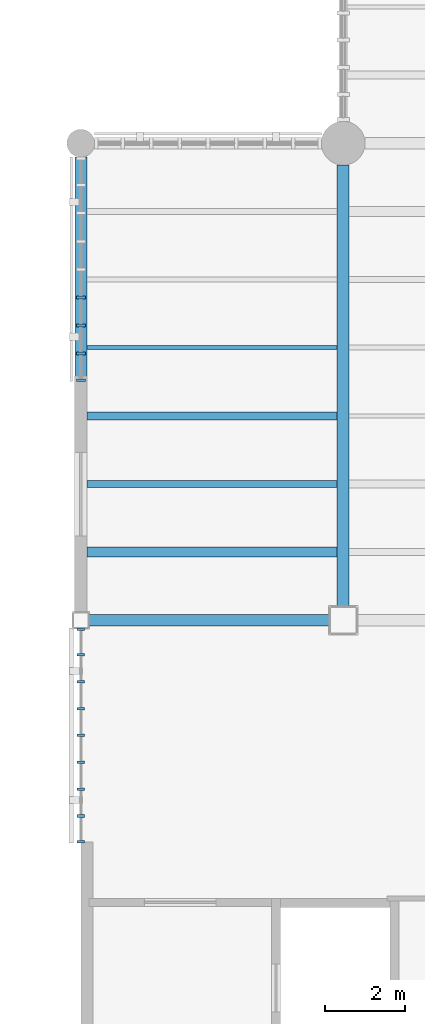
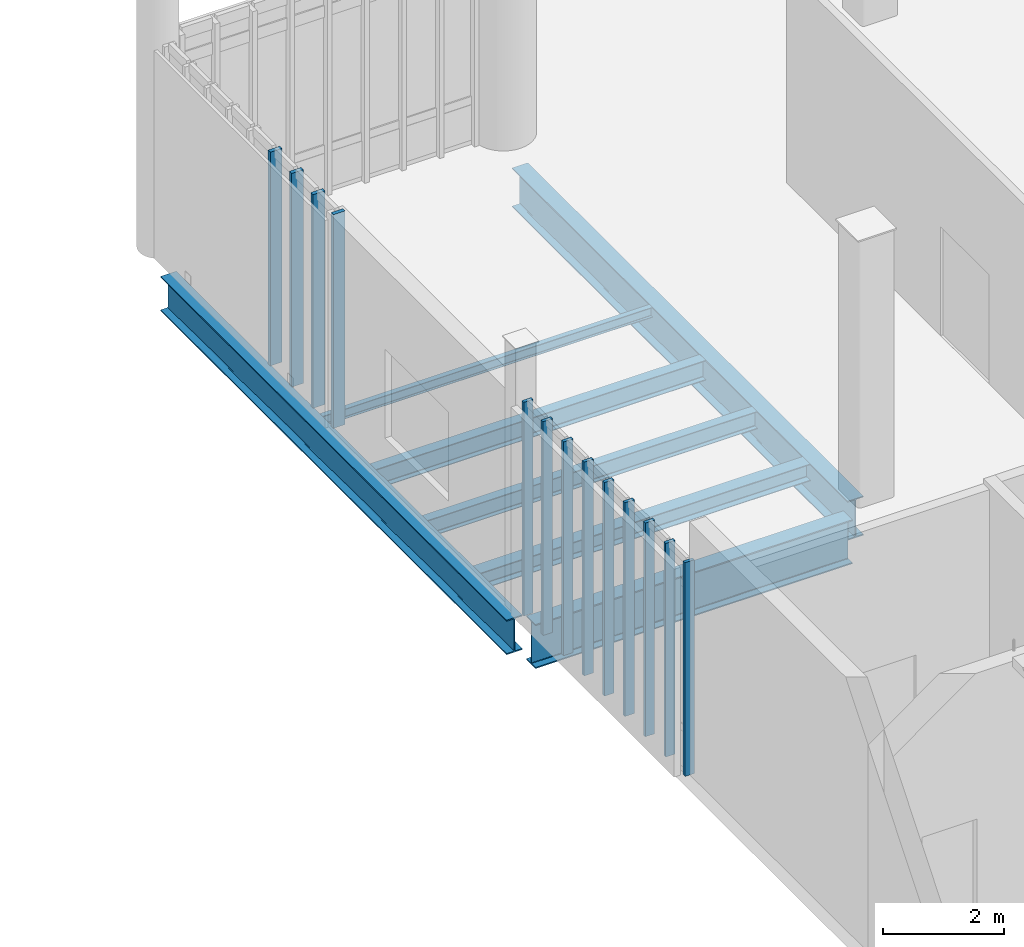
# One storey, part 17 of 135: 13 members, 7 beams, 2 elements without a shape of their own.
"""IFC4 building model written with IfcOpenShell, lengths in metres."""

from ifc_helpers import new_model, si_unit, direction, frame, origin, origin_2d, place, context, subcontext, project, spatial, rectangle, i_section, extrude, material, material_profile, profile_set, type_object, element, aggregate, save


model = new_model("IFC4")

# Units and contexts
model_context = context("Model", 3, precision=1e-05, world=origin(), true_north=direction((0.0, 1.0)))
body_context = subcontext(model_context, "Body", "Model", "MODEL_VIEW")
ifc_project = project(units=[si_unit("LENGTHUNIT", "METRE"), si_unit("AREAUNIT", "SQUARE_METRE"), si_unit("VOLUMEUNIT", "CUBIC_METRE"), si_unit("PLANEANGLEUNIT", "RADIAN"), si_unit("MASSUNIT", "GRAM", prefix="KILO")], contexts=[model_context])

# Site, building, storey
site_placement = place(None, origin())
site = spatial("IfcSite", under=ifc_project, at=site_placement, CompositionType="ELEMENT")
building_placement = place(site_placement, origin())
building = spatial("IfcBuilding", under=site, at=building_placement, Name="Larkvane Passage Sports Hall", CompositionType="ELEMENT")
storey_placement = place(building_placement, frame((0.0, 0.0, 16.800048828125)))
storey = spatial("IfcBuildingStorey", under=building, at=storey_placement, Name="L03", CompositionType="ELEMENT", Elevation=16.800048828125)

# Beams
ifc_material_1 = material(Name="Steel S460N", Category="steel")
ifc_material_profile_1 = material_profile(ifc_material_1, i_section(OverallWidth=0.300048828125, OverallDepth=0.699951171875, WebThickness=0.012939453125, FlangeThickness=0.02392578125, FilletRadius=0.02197265625, at=origin_2d()), Name="H-700x300x13x24")
ifc_profile_set_1 = profile_set([ifc_material_profile_1], Name="Steel S460N")
beam_type_1 = type_object("IfcBeamType", Name="BM-STL-H700", PredefinedType="BEAM", material=ifc_profile_set_1)
beam_1_placement = place(storey_placement, frame((118.0, 39.800048828125, -0.68994140625), z_axis=(0.0, 1.0, 0.0), x_axis=(-1.0, 0.0, 0.0)))
element("IfcBeam", 1, at=beam_1_placement, inside=storey, type_object=beam_type_1, Name="Girder BM5-Y-L03-16-1039", PredefinedType="BEAM", context=body_context, shape_type="SweptSolid", body=[
    extrude(i_section(OverallWidth=0.300048828125, OverallDepth=0.699951171875, WebThickness=0.012939453125, FlangeThickness=0.02392578125, FilletRadius=0.02197265625, at=origin_2d()), origin(), (0.0, 0.0, 1.0), 11.449951171875),
])
ifc_material_profile_2 = material_profile(ifc_material_1, i_section(OverallWidth=0.300048828125, OverallDepth=0.7919921875, WebThickness=0.013916015625, FlangeThickness=0.02197265625, FilletRadius=0.02197265625, at=origin_2d()), Name="H-792x300x14x22")
ifc_profile_set_2 = profile_set([ifc_material_profile_2], Name="Steel S460N")
beam_type_2 = type_object("IfcBeamType", Name="BM-STL-H792", PredefinedType="BEAM", material=ifc_profile_set_2)
beam_2_placement = place(storey_placement, frame((124.60009765625, 39.949951171875, -0.736083984375), z_axis=(0.0, 1.0, 0.0), x_axis=(-1.0, 0.0, 0.0)))
element("IfcBeam", 2, at=beam_2_placement, inside=storey, type_object=beam_type_2, Name="Girder BM5-Y-L03-17-1040", PredefinedType="BEAM", context=body_context, shape_type="SweptSolid", body=[
    extrude(i_section(OverallWidth=0.300048828125, OverallDepth=0.7919921875, WebThickness=0.013916015625, FlangeThickness=0.02197265625, FilletRadius=0.02197265625, at=origin_2d()), origin(), (0.0, 0.0, 1.0), 11.10009765625),
])
ifc_material_profile_3 = material_profile(ifc_material_1, i_section(OverallWidth=0.299072265625, OverallDepth=0.889892578125, WebThickness=0.014892578125, FlangeThickness=0.02294921875, FilletRadius=0.02197265625, at=origin_2d()), Name="H-890x299x15x23")
ifc_profile_set_3 = profile_set([ifc_material_profile_3], Name="Steel S460N")
beam_type_3 = type_object("IfcBeamType", Name="BM-STL-H890", PredefinedType="BEAM", material=ifc_profile_set_3)
beam_3_placement = place(storey_placement, frame((118.199951171875, 39.60009765625, -0.78515625), z_axis=(1.0, 0.0, 0.0), x_axis=(0.0, 1.0, 0.0)))
element("IfcBeam", 3, at=beam_3_placement, inside=storey, type_object=beam_type_3, Name="Girder BM5-X-L03-F-0987", PredefinedType="BEAM", context=body_context, shape_type="SweptSolid", body=[
    extrude(i_section(OverallWidth=0.299072265625, OverallDepth=0.889892578125, WebThickness=0.014892578125, FlangeThickness=0.02294921875, FilletRadius=0.02197265625, at=origin_2d()), origin(), (0.0, 0.0, 1.0), 6.050048828125),
])

# Curtain wall, members
ifc_material_2 = material(Name="Thermally broken aluminium and low-E glazing", Category="aluminium")
curtain_wall_type_1 = type_object("IfcCurtainWallType", Name="CW-UNIT-COURT", PredefinedType="USERDEFINED", material=ifc_material_2)
curtain_wall_1_placement = place(storey_placement, origin())
curtain_wall_1 = element("IfcCurtainWall", 4, at=curtain_wall_1_placement, inside=storey, type_object=curtain_wall_type_1, Name="Curtain wall CW5-L03-120", ObjectType="UNITISED CURTAIN WALL", PredefinedType="USERDEFINED")
ifc_material_3 = material(Name="Anodised aluminium 6063-T6", Category="aluminium")
ifc_material_profile_4 = material_profile(ifc_material_3, rectangle(XDim=0.06494140625, YDim=0.179931640625, at=origin_2d()), Name="ALU-MUL-65x180")
ifc_profile_set_4 = profile_set([ifc_material_profile_4], Name="Anodised aluminium 6063-T6")
member_type_1 = type_object("IfcMemberType", Name="CW-MUL-65x180", PredefinedType="MULLION", material=ifc_profile_set_4)
member_1_placement = place(storey_placement, frame((118.0, 34.032470703125, 0.0), z_axis=(0.0, 0.0, 1.0), x_axis=(0.0, 1.0, 0.0)))
member_1 = element("IfcMember", 5, at=member_1_placement, type_object=member_type_1, Name="CW-01 mullion 1", PredefinedType="MULLION", context=body_context, shape_type="SweptSolid", body=[
    extrude(rectangle(XDim=0.06494140625, YDim=0.179931640625, at=origin_2d()), origin(), (0.0, 0.0, 1.0), 4.31591796875),
])
member_2_placement = place(storey_placement, frame((118.0, 34.675537109375, 0.0), z_axis=(0.0, 0.0, 1.0), x_axis=(0.0, 1.0, 0.0)))
member_2 = element("IfcMember", 6, at=member_2_placement, type_object=member_type_1, Name="CW-01 mullion 2", PredefinedType="MULLION", context=body_context, shape_type="SweptSolid", body=[
    extrude(rectangle(XDim=0.06494140625, YDim=0.179931640625, at=origin_2d()), origin(), (0.0, 0.0, 1.0), 4.31591796875),
])
member_3_placement = place(storey_placement, frame((118.0, 35.35107421875, 0.0), z_axis=(0.0, 0.0, 1.0), x_axis=(0.0, 1.0, 0.0)))
member_3 = element("IfcMember", 7, at=member_3_placement, type_object=member_type_1, Name="CW-01 mullion 3", PredefinedType="MULLION", context=body_context, shape_type="SweptSolid", body=[
    extrude(rectangle(XDim=0.06494140625, YDim=0.179931640625, at=origin_2d()), origin(), (0.0, 0.0, 1.0), 4.31591796875),
])
member_4_placement = place(storey_placement, frame((118.0, 36.026611328125, 0.0), z_axis=(0.0, 0.0, 1.0), x_axis=(0.0, 1.0, 0.0)))
member_4 = element("IfcMember", 8, at=member_4_placement, type_object=member_type_1, Name="CW-01 mullion 4", PredefinedType="MULLION", context=body_context, shape_type="SweptSolid", body=[
    extrude(rectangle(XDim=0.06494140625, YDim=0.179931640625, at=origin_2d()), origin(), (0.0, 0.0, 1.0), 4.31591796875),
])
member_5_placement = place(storey_placement, frame((118.0, 36.701904296875, 0.0), z_axis=(0.0, 0.0, 1.0), x_axis=(0.0, 1.0, 0.0)))
member_5 = element("IfcMember", 9, at=member_5_placement, type_object=member_type_1, Name="CW-01 mullion 5", PredefinedType="MULLION", context=body_context, shape_type="SweptSolid", body=[
    extrude(rectangle(XDim=0.06494140625, YDim=0.179931640625, at=origin_2d()), origin(), (0.0, 0.0, 1.0), 4.31591796875),
])
member_6_placement = place(storey_placement, frame((118.0, 37.37744140625, 0.0), z_axis=(0.0, 0.0, 1.0), x_axis=(0.0, 1.0, 0.0)))
member_6 = element("IfcMember", 10, at=member_6_placement, type_object=member_type_1, Name="CW-01 mullion 6", PredefinedType="MULLION", context=body_context, shape_type="SweptSolid", body=[
    extrude(rectangle(XDim=0.06494140625, YDim=0.179931640625, at=origin_2d()), origin(), (0.0, 0.0, 1.0), 4.31591796875),
])
member_7_placement = place(storey_placement, frame((118.0, 38.052978515625, 0.0), z_axis=(0.0, 0.0, 1.0), x_axis=(0.0, 1.0, 0.0)))
member_7 = element("IfcMember", 11, at=member_7_placement, type_object=member_type_1, Name="CW-01 mullion 7", PredefinedType="MULLION", context=body_context, shape_type="SweptSolid", body=[
    extrude(rectangle(XDim=0.06494140625, YDim=0.179931640625, at=origin_2d()), origin(), (0.0, 0.0, 1.0), 4.31591796875),
])
member_8_placement = place(storey_placement, frame((118.0, 38.728515625, 0.0), z_axis=(0.0, 0.0, 1.0), x_axis=(0.0, 1.0, 0.0)))
member_8 = element("IfcMember", 12, at=member_8_placement, type_object=member_type_1, Name="CW-01 mullion 8", PredefinedType="MULLION", context=body_context, shape_type="SweptSolid", body=[
    extrude(rectangle(XDim=0.06494140625, YDim=0.179931640625, at=origin_2d()), origin(), (0.0, 0.0, 1.0), 4.31591796875),
])
member_9_placement = place(storey_placement, frame((118.0, 39.37158203125, 0.0), z_axis=(0.0, 0.0, 1.0), x_axis=(0.0, 1.0, 0.0)))
member_9 = element("IfcMember", 13, at=member_9_placement, type_object=member_type_1, Name="CW-01 mullion 9", PredefinedType="MULLION", context=body_context, shape_type="SweptSolid", body=[
    extrude(rectangle(XDim=0.06494140625, YDim=0.179931640625, at=origin_2d()), origin(), (0.0, 0.0, 1.0), 4.31591796875),
])
aggregate(curtain_wall_1, [member_1, member_2, member_3, member_4, member_5, member_6, member_7, member_8, member_9])

curtain_wall_type_2 = type_object("IfcCurtainWallType", Name="CW-UNIT-VEIL", PredefinedType="USERDEFINED", material=ifc_material_2)
curtain_wall_2_placement = place(storey_placement, origin())
curtain_wall_2 = element("IfcCurtainWall", 14, at=curtain_wall_2_placement, inside=storey, type_object=curtain_wall_type_2, Name="Curtain wall CW5-L03-121", ObjectType="UNITISED CURTAIN WALL", PredefinedType="USERDEFINED")
ifc_material_profile_5 = material_profile(ifc_material_3, rectangle(XDim=0.074951171875, YDim=0.22509765625, at=origin_2d()), Name="ALU-MUL-75x225")
ifc_profile_set_5 = profile_set([ifc_material_profile_5], Name="Anodised aluminium 6063-T6")
member_type_2 = type_object("IfcMemberType", Name="CW-MUL-75x225", PredefinedType="MULLION", material=ifc_profile_set_5)
member_10_placement = place(storey_placement, frame((118.0, 45.637451171875, 0.0), z_axis=(0.0, 0.0, 1.0), x_axis=(0.0, 1.0, 0.0)))
member_10 = element("IfcMember", 15, at=member_10_placement, type_object=member_type_2, Name="CW-02 mullion 1", PredefinedType="MULLION", context=body_context, shape_type="SweptSolid", body=[
    extrude(rectangle(XDim=0.074951171875, YDim=0.22509765625, at=origin_2d()), origin(), (0.0, 0.0, 1.0), 4.31591796875),
])
member_11_placement = place(storey_placement, frame((118.0, 46.306640625, 0.0), z_axis=(0.0, 0.0, 1.0), x_axis=(0.0, 1.0, 0.0)))
member_11 = element("IfcMember", 16, at=member_11_placement, type_object=member_type_2, Name="CW-02 mullion 2", PredefinedType="MULLION", context=body_context, shape_type="SweptSolid", body=[
    extrude(rectangle(XDim=0.074951171875, YDim=0.22509765625, at=origin_2d()), origin(), (0.0, 0.0, 1.0), 4.31591796875),
])
member_12_placement = place(storey_placement, frame((118.0, 47.013427734375, 0.0), z_axis=(0.0, 0.0, 1.0), x_axis=(0.0, 1.0, 0.0)))
member_12 = element("IfcMember", 17, at=member_12_placement, type_object=member_type_2, Name="CW-02 mullion 3", PredefinedType="MULLION", context=body_context, shape_type="SweptSolid", body=[
    extrude(rectangle(XDim=0.074951171875, YDim=0.22509765625, at=origin_2d()), origin(), (0.0, 0.0, 1.0), 4.31591796875),
])
member_13_placement = place(storey_placement, frame((118.0, 47.72021484375, 0.0), z_axis=(0.0, 0.0, 1.0), x_axis=(0.0, 1.0, 0.0)))
member_13 = element("IfcMember", 18, at=member_13_placement, type_object=member_type_2, Name="CW-02 mullion 4", PredefinedType="MULLION", context=body_context, shape_type="SweptSolid", body=[
    extrude(rectangle(XDim=0.074951171875, YDim=0.22509765625, at=origin_2d()), origin(), (0.0, 0.0, 1.0), 4.31591796875),
])
aggregate(curtain_wall_2, [member_10, member_11, member_12, member_13])

# Beams
ifc_material_4 = material(Name="Steel S355JR", Category="steel")
ifc_material_profile_6 = material_profile(ifc_material_4, i_section(OverallWidth=0.10009765625, OverallDepth=0.199951171875, WebThickness=0.005615234375, FlangeThickness=0.008056640625, FilletRadius=0.008056640625, at=origin_2d()), Name="H-200x100x5.5x8")
ifc_profile_set_6 = profile_set([ifc_material_profile_6], Name="Steel S355JR")
beam_type_4 = type_object("IfcBeamType", Name="JST-STL-H200", PredefinedType="JOIST", material=ifc_profile_set_6)
beam_4_placement = place(storey_placement, frame((118.14990234375, 46.45703125, -0.43994140625), z_axis=(1.0, 0.0, 0.0), x_axis=(0.0, 1.0, 0.0)))
element("IfcBeam", 19, at=beam_4_placement, inside=storey, type_object=beam_type_4, Name="Composite joist L03 16/F-4", PredefinedType="JOIST", context=body_context, shape_type="SweptSolid", body=[
    extrude(i_section(OverallWidth=0.10009765625, OverallDepth=0.199951171875, WebThickness=0.005615234375, FlangeThickness=0.008056640625, FilletRadius=0.008056640625, at=origin_2d()), origin(), (0.0, 0.0, 1.0), 6.300048828125),
])
ifc_material_profile_7 = material_profile(ifc_material_4, i_section(OverallWidth=0.25, OverallDepth=0.340087890625, WebThickness=0.009033203125, FlangeThickness=0.013916015625, FilletRadius=0.012939453125, at=origin_2d()), Name="H-340x250x9x14")
ifc_profile_set_7 = profile_set([ifc_material_profile_7], Name="Steel S355JR")
beam_type_5 = type_object("IfcBeamType", Name="JST-STL-H340", PredefinedType="JOIST", material=ifc_profile_set_7)
beam_5_placement = place(storey_placement, frame((118.14990234375, 41.314208984375, -0.510009765625), z_axis=(1.0, 0.0, 0.0), x_axis=(0.0, 1.0, 0.0)))
element("IfcBeam", 20, at=beam_5_placement, inside=storey, type_object=beam_type_5, Name="Composite joist L03 16/F-1", PredefinedType="JOIST", context=body_context, shape_type="SweptSolid", body=[
    extrude(i_section(OverallWidth=0.25, OverallDepth=0.340087890625, WebThickness=0.009033203125, FlangeThickness=0.013916015625, FilletRadius=0.012939453125, at=origin_2d()), origin(), (0.0, 0.0, 1.0), 6.300048828125),
])
ifc_material_profile_8 = material_profile(ifc_material_4, i_section(OverallWidth=0.175048828125, OverallDepth=0.35009765625, WebThickness=0.007080078125, FlangeThickness=0.010986328125, FilletRadius=0.012939453125, at=origin_2d()), Name="H-350x175x7x11")
ifc_profile_set_8 = profile_set([ifc_material_profile_8], Name="Steel S355JR")
beam_type_6 = type_object("IfcBeamType", Name="JST-STL-H350", PredefinedType="JOIST", material=ifc_profile_set_8)
beam_6_placement = place(storey_placement, frame((118.14990234375, 43.028564453125, -0.51513671875), z_axis=(1.0, 0.0, 0.0), x_axis=(0.0, 1.0, 0.0)))
element("IfcBeam", 21, at=beam_6_placement, inside=storey, type_object=beam_type_6, Name="Composite joist L03 16/F-2", PredefinedType="JOIST", context=body_context, shape_type="SweptSolid", body=[
    extrude(i_section(OverallWidth=0.175048828125, OverallDepth=0.35009765625, WebThickness=0.007080078125, FlangeThickness=0.010986328125, FilletRadius=0.012939453125, at=origin_2d()), origin(), (0.0, 0.0, 1.0), 6.300048828125),
])
ifc_material_profile_9 = material_profile(ifc_material_4, i_section(OverallWidth=0.199951171875, OverallDepth=0.39990234375, WebThickness=0.008056640625, FlangeThickness=0.012939453125, FilletRadius=0.012939453125, at=origin_2d()), Name="H-400x200x8x13")
ifc_profile_set_9 = profile_set([ifc_material_profile_9], Name="Steel S355JR")
beam_type_7 = type_object("IfcBeamType", Name="JST-STL-H400", PredefinedType="JOIST", material=ifc_profile_set_9)
beam_7_placement = place(storey_placement, frame((118.14990234375, 44.742919921875, -0.5400390625), z_axis=(1.0, 0.0, 0.0), x_axis=(0.0, 1.0, 0.0)))
element("IfcBeam", 22, at=beam_7_placement, inside=storey, type_object=beam_type_7, Name="Composite joist L03 16/F-3", PredefinedType="JOIST", context=body_context, shape_type="SweptSolid", body=[
    extrude(i_section(OverallWidth=0.199951171875, OverallDepth=0.39990234375, WebThickness=0.008056640625, FlangeThickness=0.012939453125, FilletRadius=0.012939453125, at=origin_2d()), origin(), (0.0, 0.0, 1.0), 6.300048828125),
])

save(model, "model.ifc")
